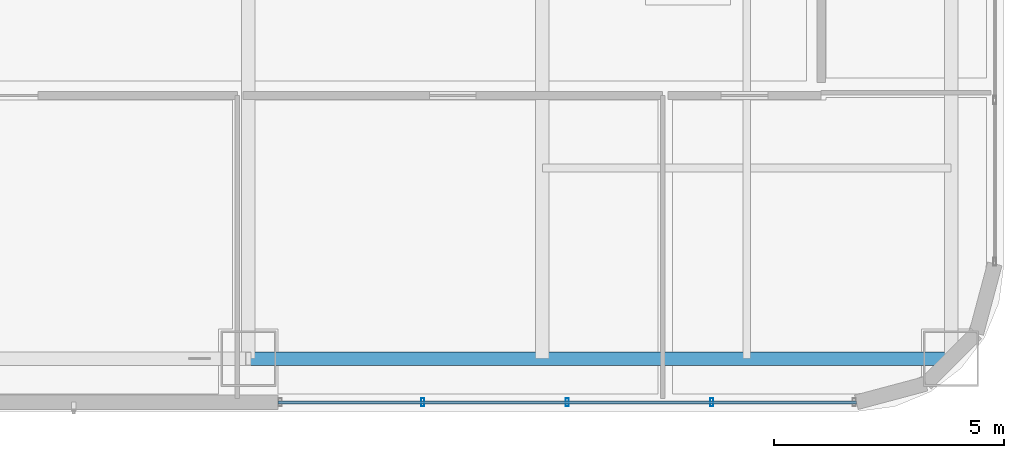
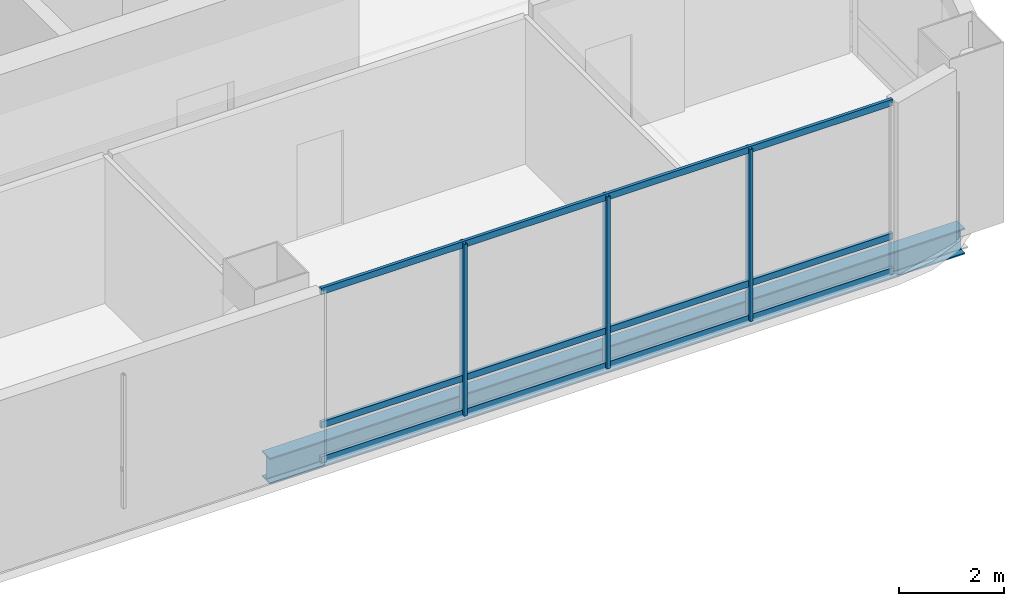
# One storey, part 14 of 43: 6 members, 1 beam, 1 element without a shape of its own.
"""IFC4 building model written with IfcOpenShell, lengths in metres."""

from ifc_helpers import new_model, si_unit, direction, frame, origin, origin_2d, place, context, subcontext, project, spatial, hollow_rectangle, i_section, extrude, material, material_profile, profile_set, type_object, element, aggregate, save


model = new_model("IFC4")

# Units and contexts
model_context = context("Model", 3, precision=1e-05, world=origin(), true_north=direction((0.0, 1.0)))
body_context = subcontext(model_context, "Body", "Model", "MODEL_VIEW")
ifc_project = project(units=[si_unit("LENGTHUNIT", "METRE"), si_unit("AREAUNIT", "SQUARE_METRE"), si_unit("VOLUMEUNIT", "CUBIC_METRE"), si_unit("PLANEANGLEUNIT", "RADIAN"), si_unit("MASSUNIT", "GRAM", prefix="KILO")], contexts=[model_context])

# Site, building, storey
site_placement = place(None, origin())
site = spatial("IfcSite", under=ifc_project, at=site_placement, CompositionType="ELEMENT")
building_placement = place(site_placement, origin())
building = spatial("IfcBuilding", under=site, at=building_placement, Name="Punatoya Terracotta Tower", CompositionType="ELEMENT")
storey_placement = place(building_placement, frame((0.0, 0.0, 300.60009765625)))
storey = spatial("IfcBuildingStorey", under=building, at=storey_placement, Name="L71", CompositionType="ELEMENT", Elevation=300.60009765625)

# Beam
ifc_material_1 = material(Name="Steel S355", Category="steel")
ifc_material_profile_1 = material_profile(ifc_material_1, i_section(OverallWidth=0.300048828125, OverallDepth=0.60009765625, WebThickness=0.015380859375, FlangeThickness=0.030029296875, FilletRadius=0.01806640625, at=origin_2d()))
ifc_profile_set_1 = profile_set([ifc_material_profile_1], Name="Steel S355")
beam_type = type_object("IfcBeamType", Name="BM-PRI-600", PredefinedType="BEAM", material=ifc_profile_set_1)
beam_placement = place(storey_placement, frame((3.800048828125, -17.5, -0.5), z_axis=(1.0, 0.0, 0.0), x_axis=(0.0, 1.0, 0.0)))
element("IfcBeam", 1, at=beam_placement, inside=storey, type_object=beam_type, Name="BM-L71-RG-S3", PredefinedType="BEAM", context=body_context, shape_type="SweptSolid", body=[
    extrude(i_section(OverallWidth=0.300048828125, OverallDepth=0.60009765625, WebThickness=0.015380859375, FlangeThickness=0.030029296875, FilletRadius=0.01806640625, at=origin_2d()), origin(), (0.0, 0.0, 1.0), 15.300048828125),
])

# Curtain wall, members
ifc_material_2 = material(Name="Aluminium 6063-T6 + Double Low-E Glass", Category="aluminium")
curtain_wall_type = type_object("IfcCurtainWallType", Name="CW-M3", PredefinedType="NOTDEFINED", material=ifc_material_2)
curtain_wall_placement = place(storey_placement, origin())
curtain_wall = element("IfcCurtainWall", 2, at=curtain_wall_placement, inside=storey, type_object=curtain_wall_type, Name="L71 Curtain Wall CW-L71-S01-2", PredefinedType="NOTDEFINED")
ifc_material_3 = material(Name="Aluminium 6063-T6", Category="aluminium")
ifc_material_profile_2 = material_profile(ifc_material_3, hollow_rectangle(XDim=0.070068359375, YDim=0.179931640625, WallThickness=0.00390625, at=origin_2d()))
ifc_profile_set_2 = profile_set([ifc_material_profile_2], Name="Aluminium 6063-T6")
member_type_1 = type_object("IfcMemberType", Name="CW-MUL-M3", PredefinedType="MULLION", material=ifc_profile_set_2)
member_1_placement = place(storey_placement, frame((7.5966796875, -18.449951171875, 0.0), z_axis=(0.0, 0.0, 1.0), x_axis=(1.0, 0.0, 0.0)))
member_1 = element("IfcMember", 3, at=member_1_placement, type_object=member_type_1, Name="CW-L71-S01-2 Mullion 01", PredefinedType="MULLION", context=body_context, shape_type="SweptSolid", body=[
    extrude(hollow_rectangle(XDim=0.070068359375, YDim=0.179931640625, WallThickness=0.00390625, at=origin_2d()), origin(), (0.0, 0.0, 1.0), 4.0),
])
member_2_placement = place(storey_placement, frame((10.743408203125, -18.449951171875, 0.0), z_axis=(0.0, 0.0, 1.0), x_axis=(1.0, 0.0, 0.0)))
member_2 = element("IfcMember", 4, at=member_2_placement, type_object=member_type_1, Name="CW-L71-S01-2 Mullion 02", PredefinedType="MULLION", context=body_context, shape_type="SweptSolid", body=[
    extrude(hollow_rectangle(XDim=0.070068359375, YDim=0.179931640625, WallThickness=0.00390625, at=origin_2d()), origin(), (0.0, 0.0, 1.0), 4.0),
])
member_3_placement = place(storey_placement, frame((13.89013671875, -18.449951171875, 0.0), z_axis=(0.0, 0.0, 1.0), x_axis=(1.0, 0.0, 0.0)))
member_3 = element("IfcMember", 5, at=member_3_placement, type_object=member_type_1, Name="CW-L71-S01-2 Mullion 03", PredefinedType="MULLION", context=body_context, shape_type="SweptSolid", body=[
    extrude(hollow_rectangle(XDim=0.070068359375, YDim=0.179931640625, WallThickness=0.00390625, at=origin_2d()), origin(), (0.0, 0.0, 1.0), 4.0),
])
ifc_material_profile_3 = material_profile(ifc_material_3, hollow_rectangle(XDim=0.068115234375, YDim=0.14990234375, WallThickness=0.00390625, at=origin_2d()))
ifc_profile_set_3 = profile_set([ifc_material_profile_3], Name="Aluminium 6063-T6")
member_type_2 = type_object("IfcMemberType", Name="CW-TRN-TYP", PredefinedType="USERDEFINED", material=ifc_profile_set_3)
member_4_placement = place(storey_placement, frame((4.449951171875, -18.449951171875, 0.039794921875), z_axis=(1.0, 0.0, 0.0), x_axis=(0.0, 1.0, 0.0)))
member_4 = element("IfcMember", 6, at=member_4_placement, type_object=member_type_2, Name="CW-L71-S01-2 Transom 1", ObjectType="TRANSOM", PredefinedType="USERDEFINED", context=body_context, shape_type="SweptSolid", body=[
    extrude(hollow_rectangle(XDim=0.068115234375, YDim=0.14990234375, WallThickness=0.00390625, at=origin_2d()), origin(), (0.0, 0.0, 1.0), 12.5869140625),
])
member_5_placement = place(storey_placement, frame((4.449951171875, -18.449951171875, 0.849853515625), z_axis=(1.0, 0.0, 0.0), x_axis=(0.0, 1.0, 0.0)))
member_5 = element("IfcMember", 7, at=member_5_placement, type_object=member_type_2, Name="CW-L71-S01-2 Transom 2", ObjectType="TRANSOM", PredefinedType="USERDEFINED", context=body_context, shape_type="SweptSolid", body=[
    extrude(hollow_rectangle(XDim=0.068115234375, YDim=0.14990234375, WallThickness=0.00390625, at=origin_2d()), origin(), (0.0, 0.0, 1.0), 12.5869140625),
])
member_6_placement = place(storey_placement, frame((4.449951171875, -18.449951171875, 3.9599609375), z_axis=(1.0, 0.0, 0.0), x_axis=(0.0, 1.0, 0.0)))
member_6 = element("IfcMember", 8, at=member_6_placement, type_object=member_type_2, Name="CW-L71-S01-2 Transom 3", ObjectType="TRANSOM", PredefinedType="USERDEFINED", context=body_context, shape_type="SweptSolid", body=[
    extrude(hollow_rectangle(XDim=0.068115234375, YDim=0.14990234375, WallThickness=0.00390625, at=origin_2d()), origin(), (0.0, 0.0, 1.0), 12.5869140625),
])
aggregate(curtain_wall, [member_1, member_2, member_3, member_4, member_5, member_6])

save(model, "model.ifc")
